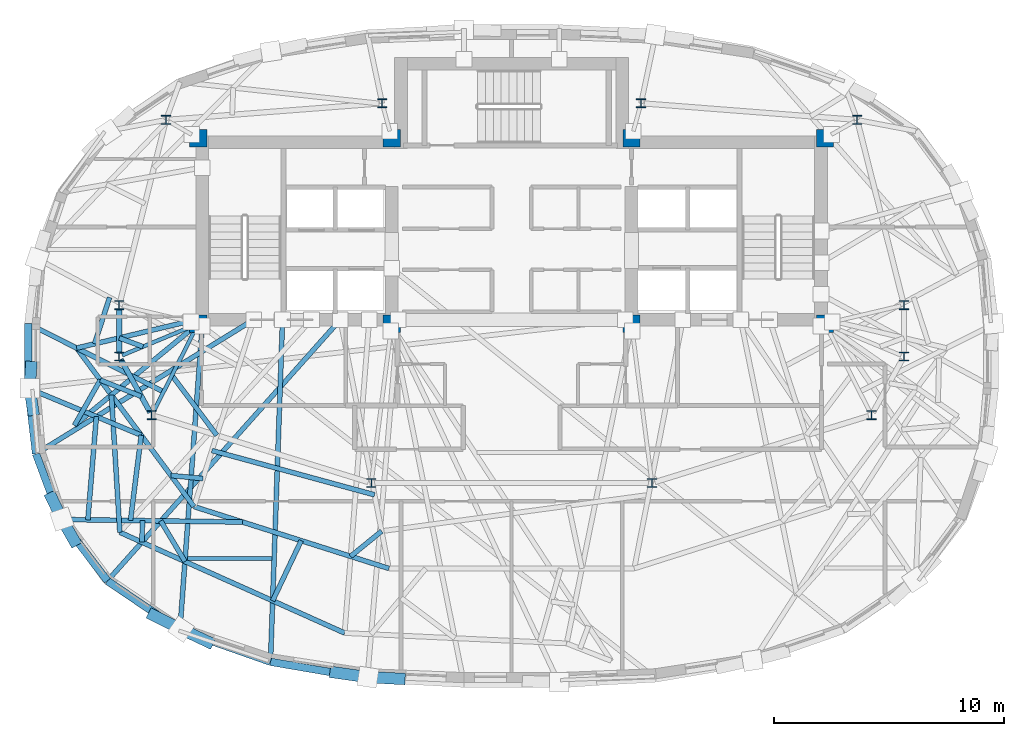
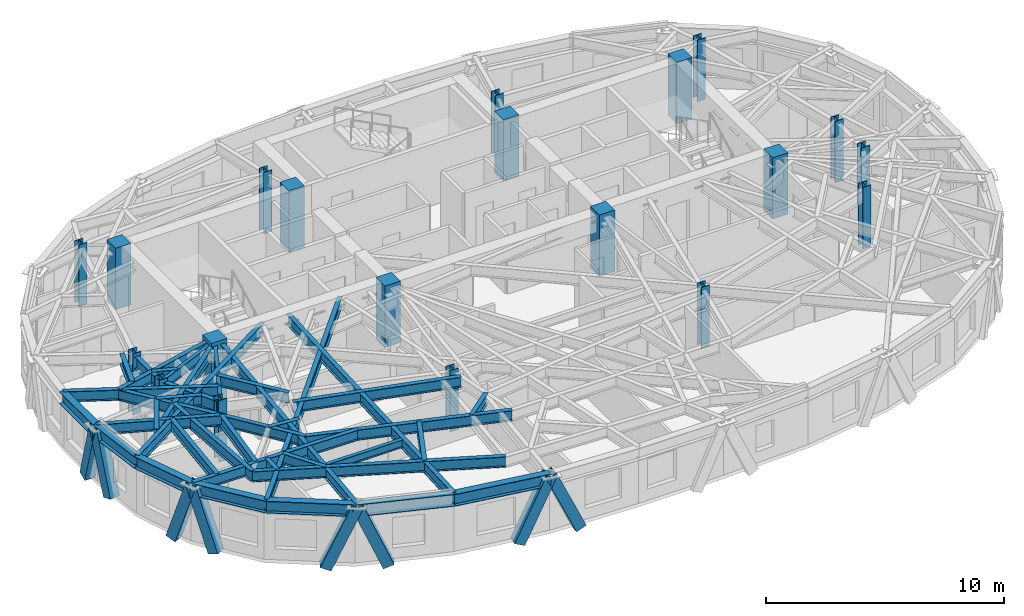
# One storey, part 1 of 12: 38 beams, 20 columns, 8 members.
"""IFC4 building model written with IfcOpenShell, lengths in metres."""

from ifc_helpers import new_model, si_unit, direction, frame, origin, origin_2d, place, context, subcontext, project, spatial, rectangle, hollow_rectangle, i_section, extrude, material, material_profile, profile_set, type_object, element, save


model = new_model("IFC4")

# Units and contexts
model_context = context("Model", 3, precision=1e-05, world=origin(), true_north=direction((0.0, 1.0)))
body_context = subcontext(model_context, "Body", "Model", "MODEL_VIEW")
ifc_project = project(units=[si_unit("LENGTHUNIT", "METRE"), si_unit("AREAUNIT", "SQUARE_METRE"), si_unit("VOLUMEUNIT", "CUBIC_METRE"), si_unit("PLANEANGLEUNIT", "RADIAN"), si_unit("MASSUNIT", "GRAM", prefix="KILO")], contexts=[model_context])

# Site, building, storey
site_placement = place(None, origin())
site = spatial("IfcSite", under=ifc_project, at=site_placement, CompositionType="ELEMENT")
building_placement = place(site_placement, origin())
building = spatial("IfcBuilding", under=site, at=building_placement, Name="Keldmark Tower", CompositionType="ELEMENT")
storey_placement = place(building_placement, frame((0.0, 0.0, 250.949951171875)))
storey = spatial("IfcBuildingStorey", under=building, at=storey_placement, Name="L71", CompositionType="ELEMENT", Elevation=250.949951171875)

# Columns
ifc_material_1 = material(Name="Concrete C50/60", Category="concrete")
ifc_material_profile_1 = material_profile(ifc_material_1, rectangle(XDim=0.75, YDim=0.75, at=origin_2d()), Name="RC750X750")
ifc_profile_set_1 = profile_set([ifc_material_profile_1], Name="Concrete C50/60")
column_type_1 = type_object("IfcColumnType", Name="Core Boundary Column RC750", PredefinedType="PILASTER", material=ifc_profile_set_1)
for number, where, z_axis, x_axis, name in (
    (1, (-13.60009765625, 1.39990234375, 0.0), (0.0, 0.0, 1.0), (1.0, 0.0, 0.0), "L71 Core Boundary Column CC-W1"),
    (2, (-13.60009765625, 9.449951171875, 0.0), (0.0, 0.0, 1.0), (1.0, 0.0, 0.0), "L71 Core Boundary Column CC-W2"),
    (3, (-5.199951171875, 1.39990234375, 0.0), (0.0, 0.0, 1.0), (1.0, 0.0, 0.0), "L71 Core Boundary Column CC-W3"),
    (4, (-5.199951171875, 9.449951171875, 0.0), (0.0, 0.0, 1.0), (1.0, 0.0, 0.0), "L71 Core Boundary Column CC-W4"),
    (5, (5.199951171875, 1.39990234375, 0.0), (0.0, 0.0, 1.0), (1.0, 0.0, 0.0), "L71 Core Boundary Column CC-E1"),
    (6, (5.199951171875, 9.449951171875, 0.0), (0.0, 0.0, 1.0), (1.0, 0.0, 0.0), "L71 Core Boundary Column CC-E2"),
    (7, (13.60009765625, 1.39990234375, 0.0), (0.0, 0.0, 1.0), (1.0, 0.0, 0.0), "L71 Core Boundary Column CC-E3"),
    (8, (13.60009765625, 9.449951171875, 0.0), (0.0, 0.0, 1.0), (1.0, 0.0, 0.0), "L71 Core Boundary Column CC-E4"),
):
    element("IfcColumn", number, at=place(storey_placement, frame(where, z_axis=z_axis, x_axis=x_axis)), inside=storey, type_object=column_type_1, Name=name, PredefinedType="PILASTER", context=body_context, shape_type="SweptSolid", body=[
        extrude(rectangle(XDim=0.75, YDim=0.75, at=origin_2d()), origin(), (0.0, 0.0, 1.0), 3.150146484375),
    ])
ifc_material_2 = material(Name="Steel ASTM A992 Grade 50", Category="steel")
ifc_material_profile_2 = material_profile(ifc_material_2, i_section(OverallWidth=0.39892578125, OverallDepth=0.386962890625, WebThickness=0.02099609375, FlangeThickness=0.033203125, at=origin_2d()), Name="W14X176")
ifc_profile_set_2 = profile_set([ifc_material_profile_2], Name="Steel ASTM A992 Grade 50")
column_type_2 = type_object("IfcColumnType", Name="Tower Gravity Column W14X176", PredefinedType="COLUMN", material=ifc_profile_set_2)
for number, where, z_axis, x_axis, name in (
    (9, (17.025634765625, 2.2080078125, 0.0), (0.0, 0.0, 1.0), (1.0, 0.0, 0.0), "L71 Tower Gravity Column TC-E1"),
    (10, (14.995849609375, 10.24365234375, 0.0), (0.0, 0.0, 1.0), (1.0, 0.0, 0.0), "L71 Tower Gravity Column TC-E4"),
    (11, (5.61865234375, 10.967041015625, 0.0), (0.0, 0.0, 1.0), (1.0, 0.0, 0.0), "L71 Tower Gravity Column TC-N2"),
    (12, (-5.61865234375, 10.967041015625, 0.0), (0.0, 0.0, 1.0), (1.0, 0.0, 0.0), "L71 Tower Gravity Column TC-N1"),
    (13, (-14.995849609375, 10.24365234375, 0.0), (0.0, 0.0, 1.0), (1.0, 0.0, 0.0), "L71 Tower Gravity Column TC-W4"),
    (14, (-17.025634765625, 2.2080078125, 0.0), (0.0, 0.0, 1.0), (1.0, 0.0, 0.0), "L71 Tower Gravity Column TC-W1"),
    (15, (-17.025634765625, -0.02392578125, 0.0), (0.0, 0.0, 1.0), (1.0, 0.0, 0.0), "L71 Tower Gravity Column TC-W5"),
    (16, (-15.6162109375, -2.5673828125, 0.0), (0.0, 0.0, 1.0), (1.0, 0.0, 0.0), "L71 Tower Gravity Column TC-W2"),
    (17, (-6.089599609375, -5.512939453125, 0.0), (0.0, 0.0, 1.0), (1.0, 0.0, 0.0), "L71 Tower Gravity Column TC-W3"),
    (18, (6.089599609375, -5.512939453125, 0.0), (0.0, 0.0, 1.0), (1.0, 0.0, 0.0), "L71 Tower Gravity Column TC-E3"),
    (19, (15.6162109375, -2.5673828125, 0.0), (0.0, 0.0, 1.0), (1.0, 0.0, 0.0), "L71 Tower Gravity Column TC-E2"),
    (20, (17.025634765625, -0.02392578125, 0.0), (0.0, 0.0, 1.0), (1.0, 0.0, 0.0), "L71 Tower Gravity Column TC-E5"),
):
    element("IfcColumn", number, at=place(storey_placement, frame(where, z_axis=z_axis, x_axis=x_axis)), inside=storey, type_object=column_type_2, Name=name, PredefinedType="COLUMN", context=body_context, shape_type="SweptSolid", body=[
        extrude(i_section(OverallWidth=0.39892578125, OverallDepth=0.386962890625, WebThickness=0.02099609375, FlangeThickness=0.033203125, at=origin_2d()), origin(), (0.0, 0.0, 1.0), 3.150146484375),
    ])

# Beam
ifc_material_3 = material(Name="Steel ASTM A992 Grade 50", Category="steel")
ifc_material_profile_3 = material_profile(ifc_material_3, i_section(OverallWidth=0.177978515625, OverallDepth=0.403076171875, WebThickness=0.007568359375, FlangeThickness=0.010986328125, at=origin_2d()), Name="W16X36")
ifc_profile_set_3 = profile_set([ifc_material_profile_3], Name="Steel ASTM A992 Grade 50")
beam_type_1 = type_object("IfcBeamType", Name="Composite Floor Joist W16X36", PredefinedType="JOIST", material=ifc_profile_set_3)
beam_1_placement = place(storey_placement, frame((-14.068115234375, -8.780029296875, 2.7685546875), z_axis=(1.0, 0.0, 0.0), x_axis=(0.0, 1.0, 0.0)))
element("IfcBeam", 21, at=beam_1_placement, inside=storey, type_object=beam_type_1, Name="L71 Composite Floor Joist J01", PredefinedType="JOIST", context=body_context, shape_type="SweptSolid", body=[
    extrude(i_section(OverallWidth=0.177978515625, OverallDepth=0.403076171875, WebThickness=0.007568359375, FlangeThickness=0.010986328125, at=origin_2d()), origin(), (0.0, 0.0, 1.0), 3.66796875),
])

# Members
ifc_material_4 = material(Name="Steel ASTM A572 Grade 50", Category="steel")
ifc_material_profile_4 = material_profile(ifc_material_4, hollow_rectangle(XDim=0.5, YDim=0.5, WallThickness=0.030029296875, at=origin_2d()), Name="BOX500X500X30")
ifc_profile_set_4 = profile_set([ifc_material_profile_4], Name="Steel ASTM A572 Grade 50")
member_type = type_object("IfcMemberType", Name="Diagrid Upper Brace BOX500X500X30", PredefinedType="BRACE", material=ifc_profile_set_4)
member_1_placement = place(storey_placement, frame((-20.849853515625, -0.47119140625, -0.260009765625), z_axis=(-0.01909097123, -0.287867794534, 0.957479852367), x_axis=(0.997808153175, -0.066173177782, 0.0)))
element("IfcMember", 22, at=member_1_placement, inside=storey, type_object=member_type, Name="L71 Perimeter Diagrid Brace 08B", PredefinedType="BRACE", context=body_context, shape_type="SweptSolid", body=[
    extrude(hollow_rectangle(XDim=0.5, YDim=0.5, WallThickness=0.030029296875, at=origin_2d()), origin(), (0.0, 0.0, 1.0), 3.248291015625),
])
member_2_placement = place(storey_placement, frame((-20.766845703125, -2.34130859375, -0.260009765625), z_axis=(-0.044563028667, 0.290935059207, 0.955704414451), x_axis=(-0.988471671921, -0.151405923961, 0.0)))
element("IfcMember", 23, at=member_2_placement, inside=storey, type_object=member_type, Name="L71 Perimeter Diagrid Brace 09A", PredefinedType="BRACE", context=body_context, shape_type="SweptSolid", body=[
    extrude(hollow_rectangle(XDim=0.5, YDim=0.5, WallThickness=0.030029296875, at=origin_2d()), origin(), (0.0, 0.0, 1.0), 3.254150390625),
])
member_3_placement = place(storey_placement, frame((-19.958251953125, -6.156982421875, -0.260009765625), z_axis=(0.135009436415, -0.280834545913, 0.950212823477), x_axis=(0.901261412723, 0.433275738919, 0.0)))
element("IfcMember", 24, at=member_3_placement, inside=storey, type_object=member_type, Name="L71 Perimeter Diagrid Brace 09B", PredefinedType="BRACE", context=body_context, shape_type="SweptSolid", body=[
    extrude(hollow_rectangle(XDim=0.5, YDim=0.5, WallThickness=0.030029296875, at=origin_2d()), origin(), (0.0, 0.0, 1.0), 3.27294921875),
])
member_4_placement = place(storey_placement, frame((-18.97900390625, -8.014404296875, -0.260009765625), z_axis=(-0.164337629641, 0.287942633638, 0.943441669218), x_axis=(-0.868504205417, -0.495681798308, 0.0)))
element("IfcMember", 25, at=member_4_placement, inside=storey, type_object=member_type, Name="L71 Perimeter Diagrid Brace 10A", PredefinedType="BRACE", context=body_context, shape_type="SweptSolid", body=[
    extrude(hollow_rectangle(XDim=0.5, YDim=0.5, WallThickness=0.030029296875, at=origin_2d()), origin(), (0.0, 0.0, 1.0), 3.296630859375),
])
member_5_placement = place(storey_placement, frame((-15.545654296875, -11.251220703125, -0.260009765625), z_axis=(0.354184850957, -0.177452808925, 0.91818494431), x_axis=(0.447941215478, 0.894063010909, 0.0)))
element("IfcMember", 26, at=member_5_placement, inside=storey, type_object=member_type, Name="L71 Perimeter Diagrid Brace 10B", PredefinedType="BRACE", context=body_context, shape_type="SweptSolid", body=[
    extrude(hollow_rectangle(XDim=0.5, YDim=0.5, WallThickness=0.030029296875, at=origin_2d()), origin(), (0.0, 0.0, 1.0), 3.38720703125),
])
member_6_placement = place(storey_placement, frame((-13.15966796875, -12.4091796875, -0.260009765625), z_axis=(-0.353506141559, 0.167252548071, 0.920358621975), x_axis=(-0.427673351571, -0.903933351722, 0.0)))
element("IfcMember", 27, at=member_6_placement, inside=storey, type_object=member_type, Name="L71 Perimeter Diagrid Brace 11A", PredefinedType="BRACE", context=body_context, shape_type="SweptSolid", body=[
    extrude(hollow_rectangle(XDim=0.5, YDim=0.5, WallThickness=0.030029296875, at=origin_2d()), origin(), (0.0, 0.0, 1.0), 3.379150390625),
])
member_7_placement = place(storey_placement, frame((-7.65869140625, -13.73681640625, -0.260009765625), z_axis=(0.416240962231, -0.058974592185, 0.907339770338), x_axis=(0.140282736154, 0.99011148561, 0.0)))
element("IfcMember", 28, at=member_7_placement, inside=storey, type_object=member_type, Name="L71 Perimeter Diagrid Brace 11B", PredefinedType="BRACE", context=body_context, shape_type="SweptSolid", body=[
    extrude(hollow_rectangle(XDim=0.5, YDim=0.5, WallThickness=0.030029296875, at=origin_2d()), origin(), (0.0, 0.0, 1.0), 3.427734375),
])
member_8_placement = place(storey_placement, frame((-4.847412109375, -14.007080078125, -0.260009765625), z_axis=(-0.409286152757, 0.021266267909, 0.912158205034), x_axis=(-0.051889414374, -0.998652836914, 0.0)))
element("IfcMember", 29, at=member_8_placement, inside=storey, type_object=member_type, Name="L71 Perimeter Diagrid Brace 12A", PredefinedType="BRACE", context=body_context, shape_type="SweptSolid", body=[
    extrude(hollow_rectangle(XDim=0.5, YDim=0.5, WallThickness=0.030029296875, at=origin_2d()), origin(), (0.0, 0.0, 1.0), 3.40966796875),
])

# Beams
ifc_material_5 = material(Name="Steel ASTM A992 Grade 50", Category="steel")
ifc_material_profile_5 = material_profile(ifc_material_5, i_section(OverallWidth=0.22802734375, OverallDepth=0.60302734375, WebThickness=0.010498046875, FlangeThickness=0.014892578125, at=origin_2d()), Name="W24X68")
ifc_profile_set_5 = profile_set([ifc_material_profile_5], Name="Steel ASTM A992 Grade 50")
beam_type_2 = type_object("IfcBeamType", Name="Primary Floor Girder W24X68", PredefinedType="BEAM", material=ifc_profile_set_5)
beam_2_placement = place(storey_placement, frame((-17.025634765625, 2.068115234375, 2.66845703125), z_axis=(0.0, -1.0, 0.0), x_axis=(1.0, 0.0, 0.0)))
element("IfcBeam", 30, at=beam_2_placement, inside=storey, type_object=beam_type_2, Name="L71 Floor Ring Girder FG-R06", PredefinedType="BEAM", context=body_context, shape_type="SweptSolid", body=[
    extrude(i_section(OverallWidth=0.22802734375, OverallDepth=0.60302734375, WebThickness=0.010498046875, FlangeThickness=0.014892578125, at=origin_2d()), origin(), (0.0, 0.0, 1.0), 1.9521484375),
])
beam_3_placement = place(storey_placement, frame((-16.957763671875, -0.146484375, 2.66845703125), z_axis=(0.484719680408, -0.874669555561, 0.0), x_axis=(0.874669555561, 0.484719680408, 0.0)))
element("IfcBeam", 31, at=beam_3_placement, inside=storey, type_object=beam_type_2, Name="L71 Floor Ring Girder FG-R07", PredefinedType="BEAM", context=body_context, shape_type="SweptSolid", body=[
    extrude(i_section(OverallWidth=0.22802734375, OverallDepth=0.60302734375, WebThickness=0.010498046875, FlangeThickness=0.014892578125, at=origin_2d()), origin(), (0.0, 0.0, 1.0), 2.627685546875),
])
ifc_material_6 = material(Name="Steel ASTM A992 Grade 50", Category="steel")
ifc_material_profile_6 = material_profile(ifc_material_6, i_section(OverallWidth=0.166015625, OverallDepth=0.529052734375, WebThickness=0.009765625, FlangeThickness=0.013671875, at=origin_2d()), Name="W21X50")
ifc_profile_set_6 = profile_set([ifc_material_profile_6], Name="Steel ASTM A992 Grade 50")
beam_type_3 = type_object("IfcBeamType", Name="Radial Tie Girder W21X50", PredefinedType="BEAM", material=ifc_profile_set_6)
beam_4_placement = place(storey_placement, frame((-16.896240234375, 0.02978515625, 2.70556640625), z_axis=(0.923403331902, 0.383831065226, 0.0), x_axis=(-0.383831065226, 0.923403331902, 0.0)))
element("IfcBeam", 32, at=beam_4_placement, inside=storey, type_object=beam_type_3, Name="L71 Floor Radial Girder FG-C07", PredefinedType="BEAM", context=body_context, shape_type="SweptSolid", body=[
    extrude(i_section(OverallWidth=0.166015625, OverallDepth=0.529052734375, WebThickness=0.009765625, FlangeThickness=0.013671875, at=origin_2d()), origin(), (0.0, 0.0, 1.0), 3.249755859375),
])
beam_5_placement = place(storey_placement, frame((-15.552734375, -2.442626953125, 2.70556640625), z_axis=(0.453004410574, 0.89150827478, 0.0), x_axis=(-0.89150827478, 0.453004410574, 0.0)))
element("IfcBeam", 33, at=beam_5_placement, inside=storey, type_object=beam_type_3, Name="L71 Floor Radial Girder FG-C08", PredefinedType="BEAM", context=body_context, shape_type="SweptSolid", body=[
    extrude(i_section(OverallWidth=0.166015625, OverallDepth=0.529052734375, WebThickness=0.009765625, FlangeThickness=0.013671875, at=origin_2d()), origin(), (0.0, 0.0, 1.0), 3.990234375),
])
ifc_material_7 = material(Name="Steel ASTM A992 Grade 50", Category="steel")
ifc_material_profile_7 = material_profile(ifc_material_7, i_section(OverallWidth=0.2099609375, OverallDepth=0.537109375, WebThickness=0.010986328125, FlangeThickness=0.017333984375, at=origin_2d()), Name="W21X68")
ifc_profile_set_7 = profile_set([ifc_material_profile_7], Name="Steel ASTM A992 Grade 50")
beam_type_4 = type_object("IfcBeamType", Name="Radial Tie Girder W21X68", PredefinedType="BEAM", material=ifc_profile_set_7)
beam_6_placement = place(storey_placement, frame((-15.99609375, 0.40380859375, 2.70166015625), z_axis=(-0.938388699183, 0.345581610109, 0.0), x_axis=(-0.345581610109, -0.938388699183, 0.0)))
element("IfcBeam", 34, at=beam_6_placement, inside=storey, type_object=beam_type_4, Name="L71 Framing Pin Header PH-001", PredefinedType="BEAM", context=body_context, shape_type="SweptSolid", body=[
    extrude(i_section(OverallWidth=0.2099609375, OverallDepth=0.537109375, WebThickness=0.010986328125, FlangeThickness=0.017333984375, at=origin_2d()), origin(), (0.0, 0.0, 1.0), 1.09716796875),
])
beam_7_placement = place(storey_placement, frame((-13.699951171875, 1.574951171875, 2.70166015625), z_axis=(-0.972801779815, -0.231639152971, 0.0), x_axis=(0.231639152971, -0.972801779815, 0.0)))
element("IfcBeam", 35, at=beam_7_placement, inside=storey, type_object=beam_type_4, Name="L71 Sub-Ring Step Girder STP1-M07", PredefinedType="BEAM", context=body_context, shape_type="SweptSolid", body=[
    extrude(i_section(OverallWidth=0.2099609375, OverallDepth=0.537109375, WebThickness=0.010986328125, FlangeThickness=0.017333984375, at=origin_2d()), origin(), (0.0, 0.0, 1.0), 5.316162109375),
])
beam_8_placement = place(storey_placement, frame((-14.7392578125, -0.841796875, 2.70166015625), z_axis=(0.599410203907, -0.800442007551, 0.0), x_axis=(0.800442007551, 0.599410203907, 0.0)))
element("IfcBeam", 36, at=beam_8_placement, inside=storey, type_object=beam_type_4, Name="L71 Framing Pin Header PH-002", PredefinedType="BEAM", context=body_context, shape_type="SweptSolid", body=[
    extrude(i_section(OverallWidth=0.2099609375, OverallDepth=0.537109375, WebThickness=0.010986328125, FlangeThickness=0.017333984375, at=origin_2d()), origin(), (0.0, 0.0, 1.0), 3.24609375),
])
beam_9_placement = place(storey_placement, frame((-13.0048828125, -4.10302734375, 2.70166015625), z_axis=(0.964858507476, -0.262769976504, 0.0), x_axis=(0.262769976504, 0.964858507476, 0.0)))
element("IfcBeam", 37, at=beam_9_placement, inside=storey, type_object=beam_type_4, Name="L71 Framing Pin Header PH-003", PredefinedType="BEAM", context=body_context, shape_type="SweptSolid", body=[
    extrude(i_section(OverallWidth=0.2099609375, OverallDepth=0.537109375, WebThickness=0.010986328125, FlangeThickness=0.017333984375, at=origin_2d()), origin(), (0.0, 0.0, 1.0), 7.31396484375),
])
beam_10_placement = place(storey_placement, frame((-18.87158203125, 0.343505859375, 2.70166015625), z_axis=(0.594765583007, -0.803899186011, 0.0), x_axis=(0.803899186011, 0.594765583007, 0.0)))
element("IfcBeam", 38, at=beam_10_placement, inside=storey, type_object=beam_type_4, Name="L71 Perimeter Collector Ring Beam CRG1-M07", PredefinedType="BEAM", context=body_context, shape_type="SweptSolid", body=[
    extrude(i_section(OverallWidth=0.2099609375, OverallDepth=0.537109375, WebThickness=0.010986328125, FlangeThickness=0.017333984375, at=origin_2d()), origin(), (0.0, 0.0, 1.0), 8.55810546875),
])
beam_11_placement = place(storey_placement, frame((-13.781494140625, -6.536376953125, 2.70166015625), z_axis=(0.953125022792, -0.302576752126, 0.0), x_axis=(0.302576752126, 0.953125022792, 0.0)))
element("IfcBeam", 39, at=beam_11_placement, inside=storey, type_object=beam_type_4, Name="L71 Perimeter Collector Ring Beam CRG1-M08", PredefinedType="BEAM", context=body_context, shape_type="SweptSolid", body=[
    extrude(i_section(OverallWidth=0.2099609375, OverallDepth=0.537109375, WebThickness=0.010986328125, FlangeThickness=0.017333984375, at=origin_2d()), origin(), (0.0, 0.0, 1.0), 8.8740234375),
])
beam_12_placement = place(storey_placement, frame((-13.393310546875, -5.319580078125, 2.70166015625), z_axis=(-0.995461539117, 0.095164721081, 0.0), x_axis=(-0.095164721081, -0.995461539117, 0.0)))
element("IfcBeam", 40, at=beam_12_placement, inside=storey, type_object=beam_type_4, Name="L71 Framing Pin Header PH-007", PredefinedType="BEAM", context=body_context, shape_type="SweptSolid", body=[
    extrude(i_section(OverallWidth=0.2099609375, OverallDepth=0.537109375, WebThickness=0.010986328125, FlangeThickness=0.017333984375, at=origin_2d()), origin(), (0.0, 0.0, 1.0), 1.39306640625),
])
beam_13_placement = place(storey_placement, frame((-5.639892578125, -7.601806640625, 2.70166015625), z_axis=(-0.776312204402, -0.630348602994, 0.0), x_axis=(0.630348602994, -0.776312204402, 0.0)))
element("IfcBeam", 41, at=beam_13_placement, inside=storey, type_object=beam_type_4, Name="L71 Framing Pin Header PH-008", PredefinedType="BEAM", context=body_context, shape_type="SweptSolid", body=[
    extrude(i_section(OverallWidth=0.2099609375, OverallDepth=0.537109375, WebThickness=0.010986328125, FlangeThickness=0.017333984375, at=origin_2d()), origin(), (0.0, 0.0, 1.0), 1.73291015625),
])
beam_14_placement = place(storey_placement, frame((-17.000244140625, -7.650390625, 2.70166015625), z_axis=(0.912573405894, -0.408912923316, 0.0), x_axis=(0.408912923316, 0.912573405894, 0.0)))
element("IfcBeam", 42, at=beam_14_placement, inside=storey, type_object=beam_type_4, Name="L71 Perimeter Collector Ring Beam CRG2-M08", PredefinedType="BEAM", context=body_context, shape_type="SweptSolid", body=[
    extrude(i_section(OverallWidth=0.2099609375, OverallDepth=0.537109375, WebThickness=0.010986328125, FlangeThickness=0.017333984375, at=origin_2d()), origin(), (0.0, 0.0, 1.0), 10.688232421875),
])
beam_15_placement = place(storey_placement, frame((-18.095947265625, 0.528076171875, 2.70166015625), z_axis=(0.307903277553, 0.951417664158, 0.0), x_axis=(-0.951417664158, 0.307903277553, 0.0)))
element("IfcBeam", 43, at=beam_15_placement, inside=storey, type_object=beam_type_4, Name="L71 Framing Pin Header PH-015", PredefinedType="BEAM", context=body_context, shape_type="SweptSolid", body=[
    extrude(i_section(OverallWidth=0.2099609375, OverallDepth=0.537109375, WebThickness=0.010986328125, FlangeThickness=0.017333984375, at=origin_2d()), origin(), (0.0, 0.0, 1.0), 2.11474609375),
])
beam_16_placement = place(storey_placement, frame((-15.100830078125, -1.55322265625, 2.70166015625), z_axis=(-0.893317416122, 0.44942629435, 0.0), x_axis=(-0.44942629435, -0.893317416122, 0.0)))
element("IfcBeam", 44, at=beam_16_placement, inside=storey, type_object=beam_type_4, Name="L71 Perimeter Radial Tie Girder RT-16", PredefinedType="BEAM", context=body_context, shape_type="SweptSolid", body=[
    extrude(i_section(OverallWidth=0.2099609375, OverallDepth=0.537109375, WebThickness=0.010986328125, FlangeThickness=0.017333984375, at=origin_2d()), origin(), (0.0, 0.0, 1.0), 6.572021484375),
])
beam_17_placement = place(storey_placement, frame((-16.066162109375, -1.75537109375, 2.70166015625), z_axis=(-0.928213203195, 0.372048719142, 0.0), x_axis=(-0.372048719142, -0.928213203195, 0.0)))
element("IfcBeam", 45, at=beam_17_placement, inside=storey, type_object=beam_type_4, Name="L71 Framing Pin Header PH-016", PredefinedType="BEAM", context=body_context, shape_type="SweptSolid", body=[
    extrude(i_section(OverallWidth=0.2099609375, OverallDepth=0.537109375, WebThickness=0.010986328125, FlangeThickness=0.017333984375, at=origin_2d()), origin(), (0.0, 0.0, 1.0), 1.918701171875),
])
beam_18_placement = place(storey_placement, frame((-17.000244140625, -7.650390625, 2.70166015625), z_axis=(-0.06111006328, 0.998131033565, 0.0), x_axis=(-0.998131033565, -0.06111006328, 0.0)))
element("IfcBeam", 46, at=beam_18_placement, inside=storey, type_object=beam_type_4, Name="L71 Framing Pin Header PH-017", PredefinedType="BEAM", context=body_context, shape_type="SweptSolid", body=[
    extrude(i_section(OverallWidth=0.2099609375, OverallDepth=0.537109375, WebThickness=0.010986328125, FlangeThickness=0.017333984375, at=origin_2d()), origin(), (0.0, 0.0, 1.0), 5.96875),
])
beam_19_placement = place(storey_placement, frame((-13.60009765625, 1.39990234375, 2.70166015625), z_axis=(-0.772717638413, -0.634749912395, 0.0), x_axis=(0.634749912395, -0.772717638413, 0.0)))
element("IfcBeam", 47, at=beam_19_placement, inside=storey, type_object=beam_type_4, Name="L71 Intermediate Radial Step Girder RT-18M", PredefinedType="BEAM", context=body_context, shape_type="SweptSolid", body=[
    extrude(i_section(OverallWidth=0.2099609375, OverallDepth=0.537109375, WebThickness=0.010986328125, FlangeThickness=0.017333984375, at=origin_2d()), origin(), (0.0, 0.0, 1.0), 6.948974609375),
])
beam_20_placement = place(storey_placement, frame((-17.84716796875, -1.04150390625, 2.70166015625), z_axis=(-0.495187599523, -0.868786073369, 0.0), x_axis=(0.868786073369, -0.495187599523, 0.0)))
element("IfcBeam", 48, at=beam_20_placement, inside=storey, type_object=beam_type_4, Name="L71 Local Collector Chord RT-18C", PredefinedType="BEAM", context=body_context, shape_type="SweptSolid", body=[
    extrude(i_section(OverallWidth=0.2099609375, OverallDepth=0.537109375, WebThickness=0.010986328125, FlangeThickness=0.017333984375, at=origin_2d()), origin(), (0.0, 0.0, 1.0), 2.266845703125),
])
beam_21_placement = place(storey_placement, frame((-16.072021484375, -3.4404296875, 2.70166015625), z_axis=(-0.125018531764, -0.992154406691, 0.0), x_axis=(0.992154406691, -0.125018531764, 0.0)))
element("IfcBeam", 49, at=beam_21_placement, inside=storey, type_object=beam_type_4, Name="L71 Framing Pin Header PH-018", PredefinedType="BEAM", context=body_context, shape_type="SweptSolid", body=[
    extrude(i_section(OverallWidth=0.2099609375, OverallDepth=0.537109375, WebThickness=0.010986328125, FlangeThickness=0.017333984375, at=origin_2d()), origin(), (0.0, 0.0, 1.0), 3.72607421875),
])
beam_22_placement = place(storey_placement, frame((-11.6669921875, -7.207763671875, 2.70166015625), z_axis=(-0.99989560515, 0.014449179992, 0.0), x_axis=(-0.014449179992, -0.99989560515, 0.0)))
element("IfcBeam", 50, at=beam_22_placement, inside=storey, type_object=beam_type_4, Name="L71 Perimeter Radial Tie Girder RT-19", PredefinedType="BEAM", context=body_context, shape_type="SweptSolid", body=[
    extrude(i_section(OverallWidth=0.2099609375, OverallDepth=0.537109375, WebThickness=0.010986328125, FlangeThickness=0.017333984375, at=origin_2d()), origin(), (0.0, 0.0, 1.0), 7.907470703125),
])
beam_23_placement = place(storey_placement, frame((-16.015625, -7.14501953125, 2.70166015625), z_axis=(-0.027144041617, -0.999631532618, 0.0), x_axis=(0.999631532618, -0.027144041617, 0.0)))
element("IfcBeam", 51, at=beam_23_placement, inside=storey, type_object=beam_type_4, Name="L71 Framing Pin Header PH-019", PredefinedType="BEAM", context=body_context, shape_type="SweptSolid", body=[
    extrude(i_section(OverallWidth=0.2099609375, OverallDepth=0.537109375, WebThickness=0.010986328125, FlangeThickness=0.017333984375, at=origin_2d()), origin(), (0.0, 0.0, 1.0), 0.935302734375),
])
beam_24_placement = place(storey_placement, frame((-7.43212890625, 1.574951171875, 2.70166015625), z_axis=(-0.665510765117, -0.746388251189, 0.0), x_axis=(0.746388251189, -0.665510765117, 0.0)))
element("IfcBeam", 52, at=beam_24_placement, inside=storey, type_object=beam_type_4, Name="L71 Perimeter Radial Tie Girder RT-20", PredefinedType="BEAM", context=body_context, shape_type="SweptSolid", body=[
    extrude(i_section(OverallWidth=0.2099609375, OverallDepth=0.537109375, WebThickness=0.010986328125, FlangeThickness=0.017333984375, at=origin_2d()), origin(), (0.0, 0.0, 1.0), 15.183837890625),
])
beam_25_placement = place(storey_placement, frame((-15.22509765625, -7.15625, 2.70166015625), z_axis=(0.512567983741, -0.858646645625, 0.0), x_axis=(0.858646645625, 0.512567983741, 0.0)))
element("IfcBeam", 53, at=beam_25_placement, inside=storey, type_object=beam_type_4, Name="L71 Framing Pin Header PH-020", PredefinedType="BEAM", context=body_context, shape_type="SweptSolid", body=[
    extrude(i_section(OverallWidth=0.2099609375, OverallDepth=0.537109375, WebThickness=0.010986328125, FlangeThickness=0.017333984375, at=origin_2d()), origin(), (0.0, 0.0, 1.0), 2.050048828125),
])
beam_26_placement = place(storey_placement, frame((-13.425048828125, 1.300048828125, 2.70166015625), z_axis=(-0.073135960681, -0.997321979731, 0.0), x_axis=(0.997321979731, -0.073135960681, 0.0)))
element("IfcBeam", 54, at=beam_26_placement, inside=storey, type_object=beam_type_4, Name="L71 Perimeter Radial Tie Girder RT-21", PredefinedType="BEAM", context=body_context, shape_type="SweptSolid", body=[
    extrude(i_section(OverallWidth=0.2099609375, OverallDepth=0.537109375, WebThickness=0.010986328125, FlangeThickness=0.017333984375, at=origin_2d()), origin(), (0.0, 0.0, 1.0), 13.225830078125),
])
beam_27_placement = place(storey_placement, frame((-9.129638671875, -8.01318359375, 2.70166015625), z_axis=(-0.429201658188, -0.9032086894, 0.0), x_axis=(0.9032086894, -0.429201658188, 0.0)))
element("IfcBeam", 55, at=beam_27_placement, inside=storey, type_object=beam_type_4, Name="L71 Framing Pin Header PH-021", PredefinedType="BEAM", context=body_context, shape_type="SweptSolid", body=[
    extrude(i_section(OverallWidth=0.2099609375, OverallDepth=0.537109375, WebThickness=0.010986328125, FlangeThickness=0.017333984375, at=origin_2d()), origin(), (0.0, 0.0, 1.0), 2.887939453125),
])
beam_28_placement = place(storey_placement, frame((-9.939208984375, 1.574951171875, 2.70166015625), z_axis=(-0.035219629908, -0.999379596384, 0.0), x_axis=(0.999379596384, -0.035219629908, 0.0)))
element("IfcBeam", 56, at=beam_28_placement, inside=storey, type_object=beam_type_4, Name="L71 Perimeter Radial Tie Girder RT-22", PredefinedType="BEAM", context=body_context, shape_type="SweptSolid", body=[
    extrude(i_section(OverallWidth=0.2099609375, OverallDepth=0.537109375, WebThickness=0.010986328125, FlangeThickness=0.017333984375, at=origin_2d()), origin(), (0.0, 0.0, 1.0), 14.855224609375),
])
beam_29_placement = place(storey_placement, frame((-20.9716796875, -1.400390625, 2.70166015625), z_axis=(0.923176241635, -0.384376933335, 0.0), x_axis=(0.384376933335, 0.923176241635, 0.0)))
element("IfcBeam", 57, at=beam_29_placement, inside=storey, type_object=beam_type_4, Name="L71 Straddling Support Chord RT-18RB", PredefinedType="BEAM", context=body_context, shape_type="SweptSolid", body=[
    extrude(i_section(OverallWidth=0.2099609375, OverallDepth=0.537109375, WebThickness=0.010986328125, FlangeThickness=0.017333984375, at=origin_2d()), origin(), (0.0, 0.0, 1.0), 5.307373046875),
])
beam_30_placement = place(storey_placement, frame((-18.3876953125, -7.110595703125, 2.70166015625), z_axis=(0.082330840885, 0.996605053489, 0.0), x_axis=(-0.996605053489, 0.082330840885, 0.0)))
element("IfcBeam", 58, at=beam_30_placement, inside=storey, type_object=beam_type_4, Name="L71 Framing Pin Header PH-033", PredefinedType="BEAM", context=body_context, shape_type="SweptSolid", body=[
    extrude(i_section(OverallWidth=0.2099609375, OverallDepth=0.537109375, WebThickness=0.010986328125, FlangeThickness=0.017333984375, at=origin_2d()), origin(), (0.0, 0.0, 1.0), 4.49560546875),
])
beam_31_placement = place(storey_placement, frame((-11.19287109375, 1.574951171875, 2.70166015625), z_axis=(-0.85135288762, -0.524593424226, 0.0), x_axis=(0.524593424226, -0.85135288762, 0.0)))
element("IfcBeam", 59, at=beam_31_placement, inside=storey, type_object=beam_type_4, Name="L71 Perimeter Radial Tie Girder RT-18R", PredefinedType="BEAM", context=body_context, shape_type="SweptSolid", body=[
    extrude(i_section(OverallWidth=0.2099609375, OverallDepth=0.537109375, WebThickness=0.010986328125, FlangeThickness=0.017333984375, at=origin_2d()), origin(), (0.0, 0.0, 1.0), 11.093017578125),
])
ifc_material_8 = material(Name="Steel ASTM A992 Grade 50", Category="steel")
ifc_material_profile_8 = material_profile(ifc_material_8, i_section(OverallWidth=0.326904296875, OverallDepth=0.6220703125, WebThickness=0.015380859375, FlangeThickness=0.0244140625, at=origin_2d()), Name="W24X131")
ifc_profile_set_8 = profile_set([ifc_material_profile_8], Name="Steel ASTM A992 Grade 50")
beam_type_5 = type_object("IfcBeamType", Name="Spandrel Ring Beam W24X131", PredefinedType="SPANDREL", material=ifc_profile_set_8)
beam_32_placement = place(storey_placement, frame((-20.9716796875, 1.400390625, 2.658935546875), z_axis=(0.0, -1.0, 0.0), x_axis=(1.0, 0.0, 0.0)))
element("IfcBeam", 60, at=beam_32_placement, inside=storey, type_object=beam_type_5, Name="L71 Perimeter Spandrel Ring Beam SRB-16", PredefinedType="SPANDREL", context=body_context, shape_type="SweptSolid", body=[
    extrude(i_section(OverallWidth=0.326904296875, OverallDepth=0.6220703125, WebThickness=0.015380859375, FlangeThickness=0.0244140625, at=origin_2d()), origin(), (0.0, 0.0, 1.0), 2.80078125),
])
beam_33_placement = place(storey_placement, frame((-20.9716796875, -1.400390625, 2.658935546875), z_axis=(0.116885766715, -0.993145365764, 0.0), x_axis=(0.993145365764, 0.116885766715, 0.0)))
element("IfcBeam", 61, at=beam_33_placement, inside=storey, type_object=beam_type_5, Name="L71 Perimeter Spandrel Ring Beam SRB-17", PredefinedType="SPANDREL", context=body_context, shape_type="SweptSolid", body=[
    extrude(i_section(OverallWidth=0.326904296875, OverallDepth=0.6220703125, WebThickness=0.015380859375, FlangeThickness=0.0244140625, at=origin_2d()), origin(), (0.0, 0.0, 1.0), 2.863525390625),
])
beam_34_placement = place(storey_placement, frame((-20.636962890625, -4.244384765625, 2.658935546875), z_axis=(0.349627332297, -0.936888856007, 0.0), x_axis=(0.936888856007, 0.349627332297, 0.0)))
element("IfcBeam", 62, at=beam_34_placement, inside=storey, type_object=beam_type_5, Name="L71 Perimeter Spandrel Ring Beam SRB-18", PredefinedType="SPANDREL", context=body_context, shape_type="SweptSolid", body=[
    extrude(i_section(OverallWidth=0.326904296875, OverallDepth=0.6220703125, WebThickness=0.015380859375, FlangeThickness=0.0244140625, at=origin_2d()), origin(), (0.0, 0.0, 1.0), 3.041015625),
])
beam_35_placement = place(storey_placement, frame((-19.57373046875, -7.093505859375, 2.658935546875), z_axis=(0.607266352304, -0.794498318034, 0.0), x_axis=(0.794498318034, 0.607266352304, 0.0)))
element("IfcBeam", 63, at=beam_35_placement, inside=storey, type_object=beam_type_5, Name="L71 Perimeter Spandrel Ring Beam SRB-19", PredefinedType="SPANDREL", context=body_context, shape_type="SweptSolid", body=[
    extrude(i_section(OverallWidth=0.326904296875, OverallDepth=0.6220703125, WebThickness=0.015380859375, FlangeThickness=0.0244140625, at=origin_2d()), origin(), (0.0, 0.0, 1.0), 3.353759765625),
])
beam_36_placement = place(storey_placement, frame((-17.537109375, -9.758056640625, 2.658935546875), z_axis=(0.827675110689, -0.561207547299, 0.0), x_axis=(0.561207547299, 0.827675110689, 0.0)))
element("IfcBeam", 64, at=beam_36_placement, inside=storey, type_object=beam_type_5, Name="L71 Perimeter Spandrel Ring Beam SRB-20", PredefinedType="SPANDREL", context=body_context, shape_type="SweptSolid", body=[
    extrude(i_section(OverallWidth=0.326904296875, OverallDepth=0.6220703125, WebThickness=0.015380859375, FlangeThickness=0.0244140625, at=origin_2d()), origin(), (0.0, 0.0, 1.0), 3.799560546875),
])
beam_37_placement = place(storey_placement, frame((-14.392333984375, -11.890380859375, 2.658935546875), z_axis=(0.9434730198, -0.331449333849, 0.0), x_axis=(0.331449333849, 0.9434730198, 0.0)))
element("IfcBeam", 65, at=beam_37_placement, inside=storey, type_object=beam_type_5, Name="L71 Perimeter Spandrel Ring Beam SRB-21", PredefinedType="SPANDREL", context=body_context, shape_type="SweptSolid", body=[
    extrude(i_section(OverallWidth=0.326904296875, OverallDepth=0.6220703125, WebThickness=0.015380859375, FlangeThickness=0.0244140625, at=origin_2d()), origin(), (0.0, 0.0, 1.0), 4.165283203125),
])
beam_38_placement = place(storey_placement, frame((-10.46240234375, -13.27099609375, 2.658935546875), z_axis=(0.98559963167, -0.169095730439, 0.0), x_axis=(0.169095730439, 0.98559963167, 0.0)))
element("IfcBeam", 66, at=beam_38_placement, inside=storey, type_object=beam_type_5, Name="L71 Perimeter Spandrel Ring Beam SRB-22", PredefinedType="SPANDREL", context=body_context, shape_type="SweptSolid", body=[
    extrude(i_section(OverallWidth=0.326904296875, OverallDepth=0.6220703125, WebThickness=0.015380859375, FlangeThickness=0.0244140625, at=origin_2d()), origin(), (0.0, 0.0, 1.0), 4.263427734375),
])

save(model, "model.ifc")
